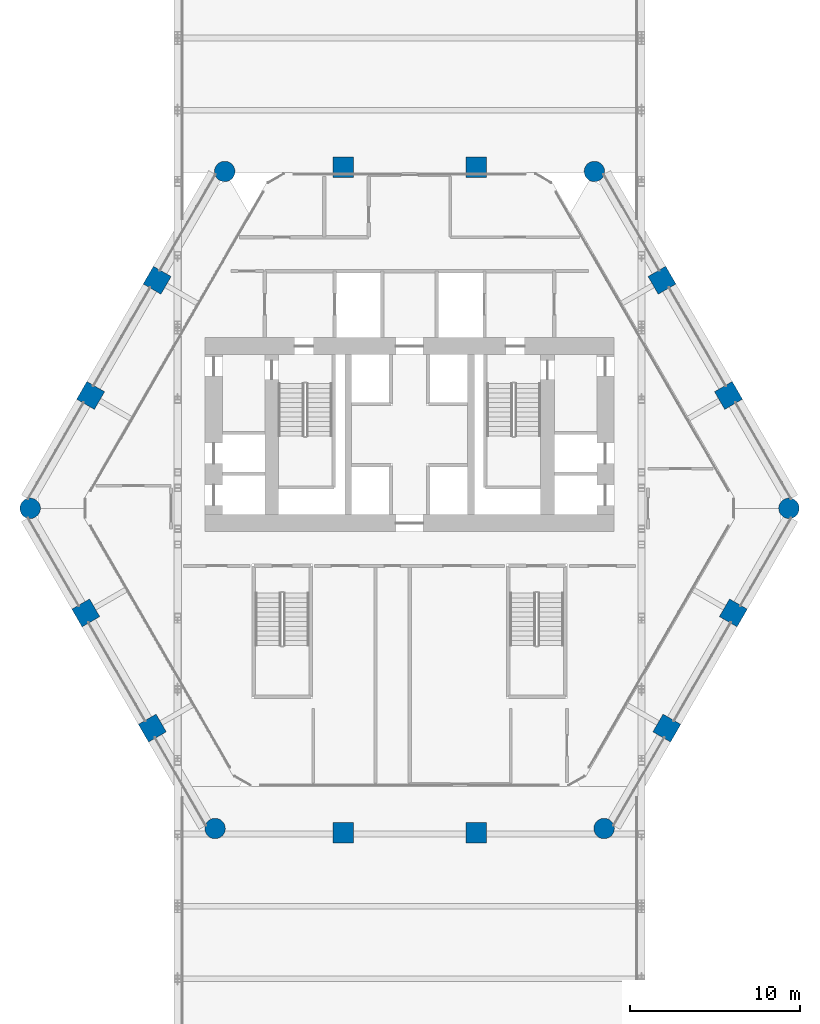
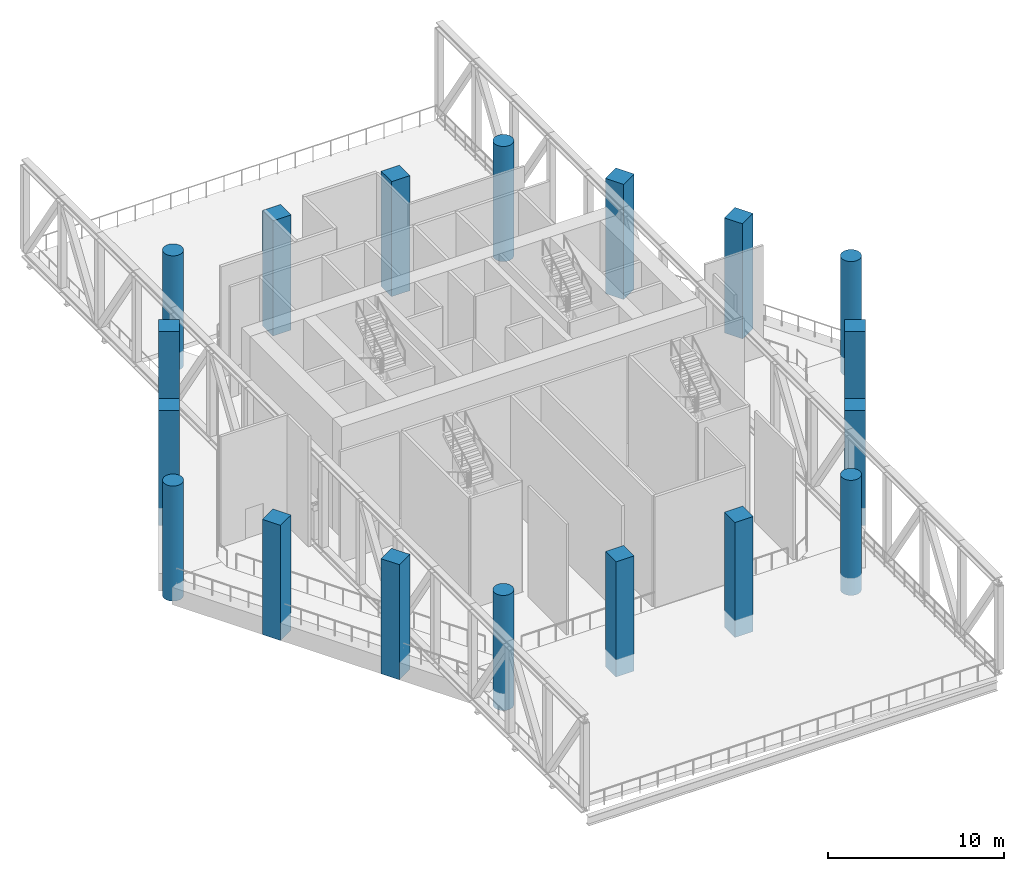
# One storey, part 1 of 16: 18 columns.
"""IFC4 building model written with IfcOpenShell, lengths in metres."""

from ifc_helpers import new_model, si_unit, direction, frame, origin, origin_2d, place, context, subcontext, project, spatial, rectangle, circle, extrude, material, material_profile, profile_set, type_object, element, save


model = new_model("IFC4")

# Units and contexts
model_context = context("Model", 3, precision=1e-05, world=origin(), true_north=direction((0.0, 1.0)))
body_context = subcontext(model_context, "Body", "Model", "MODEL_VIEW")
ifc_project = project(units=[si_unit("LENGTHUNIT", "METRE"), si_unit("AREAUNIT", "SQUARE_METRE"), si_unit("VOLUMEUNIT", "CUBIC_METRE"), si_unit("PLANEANGLEUNIT", "RADIAN"), si_unit("MASSUNIT", "GRAM", prefix="KILO")], contexts=[model_context])

# Site, building, storey
site_placement = place(None, origin())
site = spatial("IfcSite", under=ifc_project, at=site_placement, CompositionType="ELEMENT")
building_placement = place(site_placement, origin())
building = spatial("IfcBuilding", under=site, at=building_placement, Name="Ostrander Bayou Hotel Tower", CompositionType="ELEMENT")
storey_placement = place(building_placement, frame((0.0, 0.0, 108.0)))
storey = spatial("IfcBuildingStorey", under=building, at=storey_placement, Name="L27", CompositionType="ELEMENT", Elevation=108.0)

# Columns
ifc_material_1 = material(Name="Concrete f'c 70 MPa", Category="concrete")
ifc_material_profile_1 = material_profile(ifc_material_1, circle(Radius=0.60009765625, at=origin_2d()))
ifc_profile_set_1 = profile_set([ifc_material_profile_1], Name="Concrete f'c 70 MPa")
column_type_1 = type_object("IfcColumnType", Name="C3 round column 1200 mm f'c 70 MPa", PredefinedType="COLUMN", material=ifc_profile_set_1)
for number, where, z_axis, x_axis, name in (
    (1, (-10.856689453125, 19.458740234375, -1.199951171875), (0.0, 0.0, 1.0), (1.0, 0.0, 0.0), "C3 L27 K0"),
    (2, (-22.2802734375, -0.327392578125, -1.199951171875), (0.0, 0.0, 1.0), (1.0, 0.0, 0.0), "C3 L27 K1"),
    (3, (-11.423583984375, -19.131591796875, -1.199951171875), (0.0, 0.0, 1.0), (1.0, 0.0, 0.0), "C3 L27 K2"),
    (4, (11.423583984375, -19.131591796875, -1.199951171875), (0.0, 0.0, 1.0), (1.0, 0.0, 0.0), "C3 L27 K3"),
    (5, (22.2802734375, -0.327392578125, -1.199951171875), (0.0, 0.0, 1.0), (1.0, 0.0, 0.0), "C3 L27 K4"),
    (6, (10.856689453125, 19.458740234375, -1.199951171875), (0.0, 0.0, 1.0), (1.0, 0.0, 0.0), "C3 L27 K5"),
):
    element("IfcColumn", number, at=place(storey_placement, frame(where, z_axis=z_axis, x_axis=x_axis)), inside=storey, type_object=column_type_1, Name=name, PredefinedType="COLUMN", context=body_context, shape_type="SweptSolid", body=[
        extrude(circle(Radius=0.60009765625, at=origin_2d()), origin(), (0.0, 0.0, 1.0), 8.0),
    ])
ifc_material_2 = material(Name="Concrete f'c 70 MPa", Category="concrete")
ifc_material_profile_2 = material_profile(ifc_material_2, rectangle(XDim=1.199951171875, YDim=1.199951171875, at=origin_2d()))
ifc_profile_set_2 = profile_set([ifc_material_profile_2], Name="Concrete f'c 70 MPa")
column_type_2 = type_object("IfcColumnType", Name="C4 square column 1200 x 1200 mm f'c 70 MPa", PredefinedType="COLUMN", material=ifc_profile_set_2)
for number, where, z_axis, x_axis, name in (
    (7, (3.90673828125, 19.699951171875, -1.199951171875), (0.0, 0.0, 1.0), (1.0, 0.0, 0.0), "C4 L27 N1"),
    (8, (-3.90673828125, 19.699951171875, -1.199951171875), (0.0, 0.0, 1.0), (1.0, 0.0, 0.0), "C4 L27 N2"),
    (9, (-14.823974609375, 13.069580078125, -1.199951171875), (0.0, 0.0, 1.0), (0.5, 0.866025403784, 0.0), "C4 L27 NW1"),
    (10, (-18.730712890625, 6.302978515625, -1.199951171875), (0.0, 0.0, 1.0), (0.5, 0.866025403784, 0.0), "C4 L27 NW2"),
    (11, (-19.01416015625, -6.466796875, -1.199951171875), (0.0, 0.0, 1.0), (-0.5, 0.866025403784, 0.0), "C4 L27 SW1"),
    (12, (-15.107421875, -13.2333984375, -1.199951171875), (0.0, 0.0, 1.0), (-0.5, 0.866025403784, 0.0), "C4 L27 SW2"),
    (13, (-3.90673828125, -19.372802734375, -1.199951171875), (0.0, 0.0, 1.0), (-1.0, 0.0, 0.0), "C4 L27 S1"),
    (14, (3.90673828125, -19.372802734375, -1.199951171875), (0.0, 0.0, 1.0), (-1.0, 0.0, 0.0), "C4 L27 S2"),
    (15, (15.107421875, -13.2333984375, -1.199951171875), (0.0, 0.0, 1.0), (-0.5, -0.866025403784, 0.0), "C4 L27 SE1"),
    (16, (19.01416015625, -6.466796875, -1.199951171875), (0.0, 0.0, 1.0), (-0.5, -0.866025403784, 0.0), "C4 L27 SE2"),
    (17, (18.730712890625, 6.302978515625, -1.199951171875), (0.0, 0.0, 1.0), (0.5, -0.866025403784, 0.0), "C4 L27 NE1"),
    (18, (14.823974609375, 13.069580078125, -1.199951171875), (0.0, 0.0, 1.0), (0.5, -0.866025403784, 0.0), "C4 L27 NE2"),
):
    element("IfcColumn", number, at=place(storey_placement, frame(where, z_axis=z_axis, x_axis=x_axis)), inside=storey, type_object=column_type_2, Name=name, PredefinedType="COLUMN", context=body_context, shape_type="SweptSolid", body=[
        extrude(rectangle(XDim=1.199951171875, YDim=1.199951171875, at=origin_2d()), origin(), (0.0, 0.0, 1.0), 8.0),
    ])

save(model, "model.ifc")
